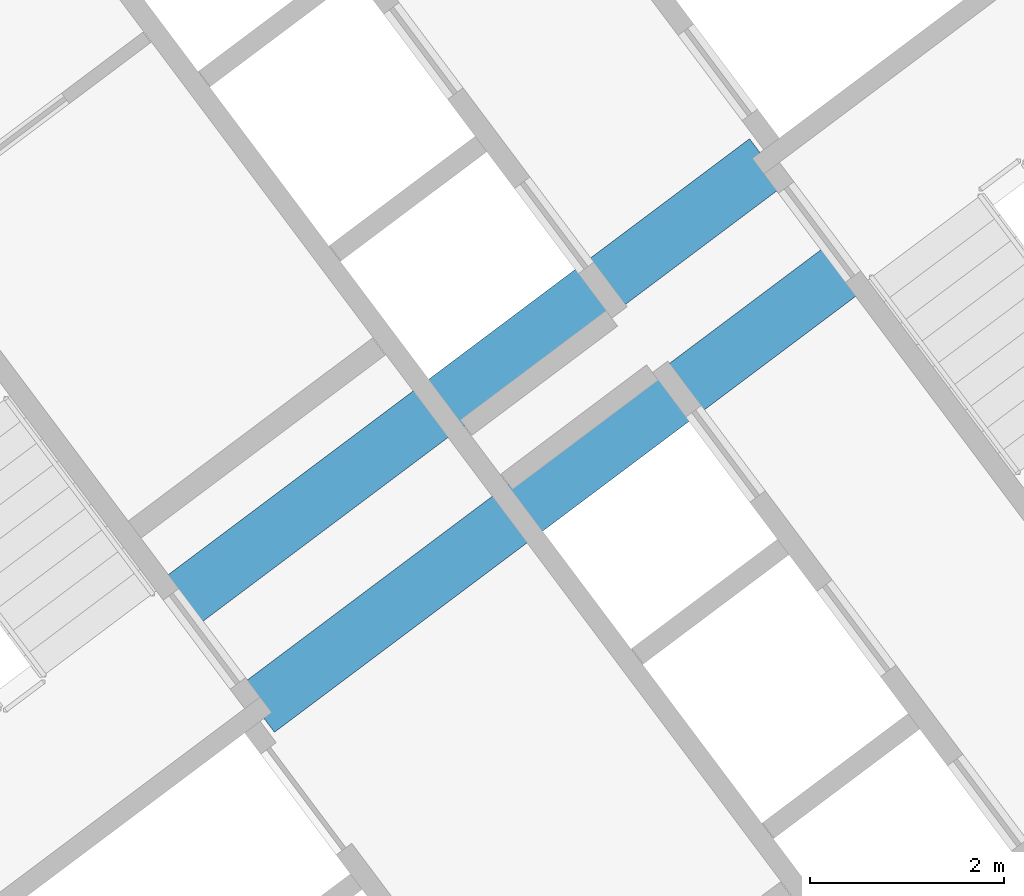
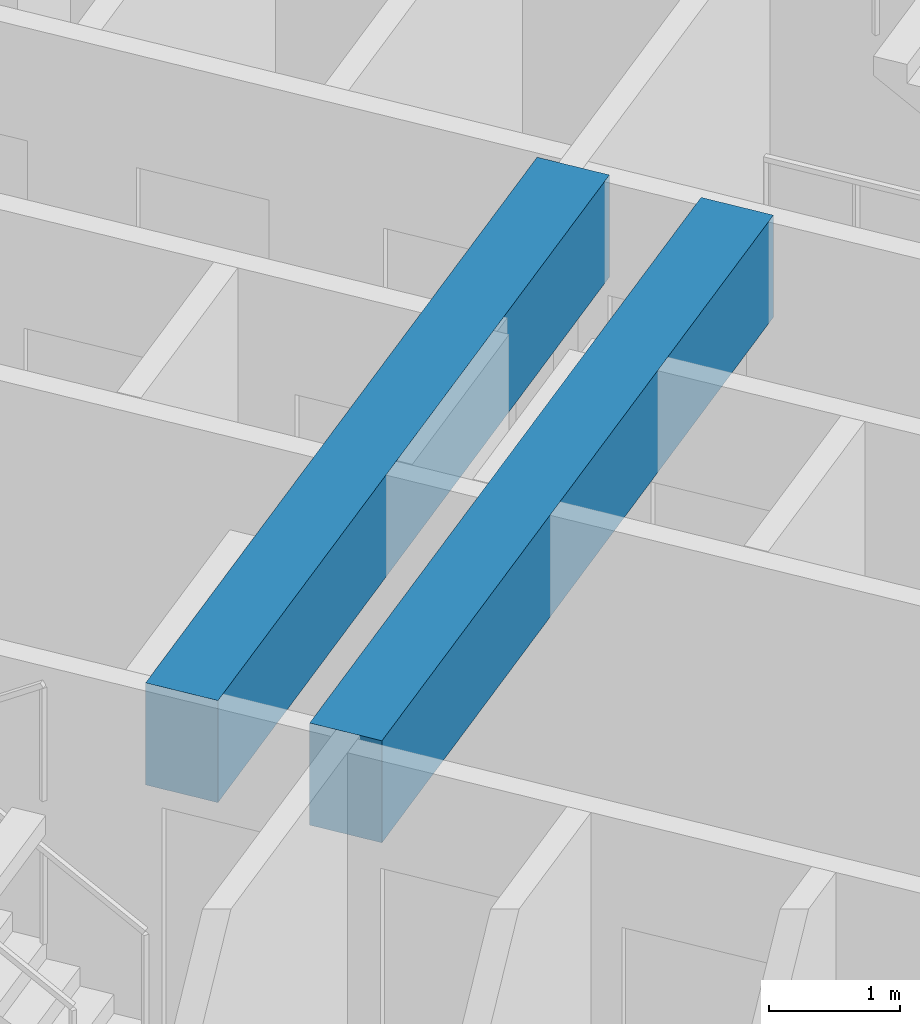
# One storey, part 24 of 49: 2 beams.
"""IFC4 building model written with IfcOpenShell, lengths in metres."""

from ifc_helpers import new_model, si_unit, direction, frame, origin, origin_2d, place, context, subcontext, project, spatial, rectangle, extrude, material, material_profile, profile_set, type_object, element, save


model = new_model("IFC4")

# Units and contexts
model_context = context("Model", 3, precision=1e-05, world=origin(), true_north=direction((0.0, 1.0)))
body_context = subcontext(model_context, "Body", "Model", "MODEL_VIEW")
ifc_project = project(units=[si_unit("LENGTHUNIT", "METRE"), si_unit("AREAUNIT", "SQUARE_METRE"), si_unit("VOLUMEUNIT", "CUBIC_METRE"), si_unit("PLANEANGLEUNIT", "RADIAN"), si_unit("MASSUNIT", "GRAM", prefix="KILO")], contexts=[model_context])

# Site, building, storey
site_placement = place(None, origin())
site = spatial("IfcSite", under=ifc_project, at=site_placement, CompositionType="ELEMENT")
building_placement = place(site_placement, origin())
building = spatial("IfcBuilding", under=site, at=building_placement, Name="Tashvorn Skyway Center", CompositionType="ELEMENT")
storey_placement = place(building_placement, frame((0.0, 0.0, 106.25)))
storey = spatial("IfcBuildingStorey", under=building, at=storey_placement, Name="L28", CompositionType="ELEMENT", Elevation=106.25)

# Beams
ifc_material = material(Name="Concrete C60/75", Category="concrete")
ifc_material_profile = material_profile(ifc_material, rectangle(XDim=0.60009765625, YDim=0.949951171875, at=origin_2d()), Name="RCB600x950")
ifc_profile_set = profile_set([ifc_material_profile], Name="Concrete C60/75")
beam_type = type_object("IfcBeamType", Name="BM-LINTEL-RCB600x950", PredefinedType="LINTEL", material=ifc_profile_set)
for number, where, z_axis, x_axis, name in (
    (1, (110.552001953125, 30.263916015625, 2.77490234375), (0.8, 0.6, 0.0), (-0.6, 0.8, 0.0), "Tower 2 L28 Core Coupling Beam CN"),
    (2, (111.367919921875, 29.176025390625, 2.77490234375), (0.8, 0.6, 0.0), (-0.6, 0.8, 0.0), "Tower 2 L28 Core Coupling Beam CS"),
):
    element("IfcBeam", number, at=place(storey_placement, frame(where, z_axis=z_axis, x_axis=x_axis)), inside=storey, type_object=beam_type, Name=name, PredefinedType="LINTEL", context=body_context, shape_type="SweptSolid", body=[
        extrude(rectangle(XDim=0.60009765625, YDim=0.949951171875, at=origin_2d()), origin(), (0.0, 0.0, 1.0), 7.60009765625),
    ])

save(model, "model.ifc")
